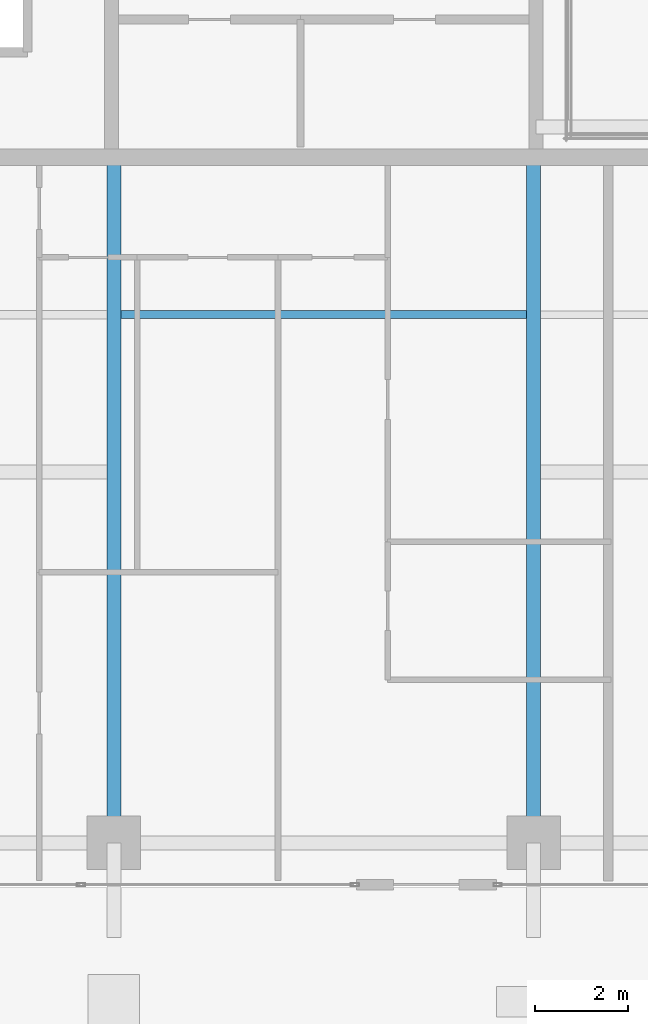
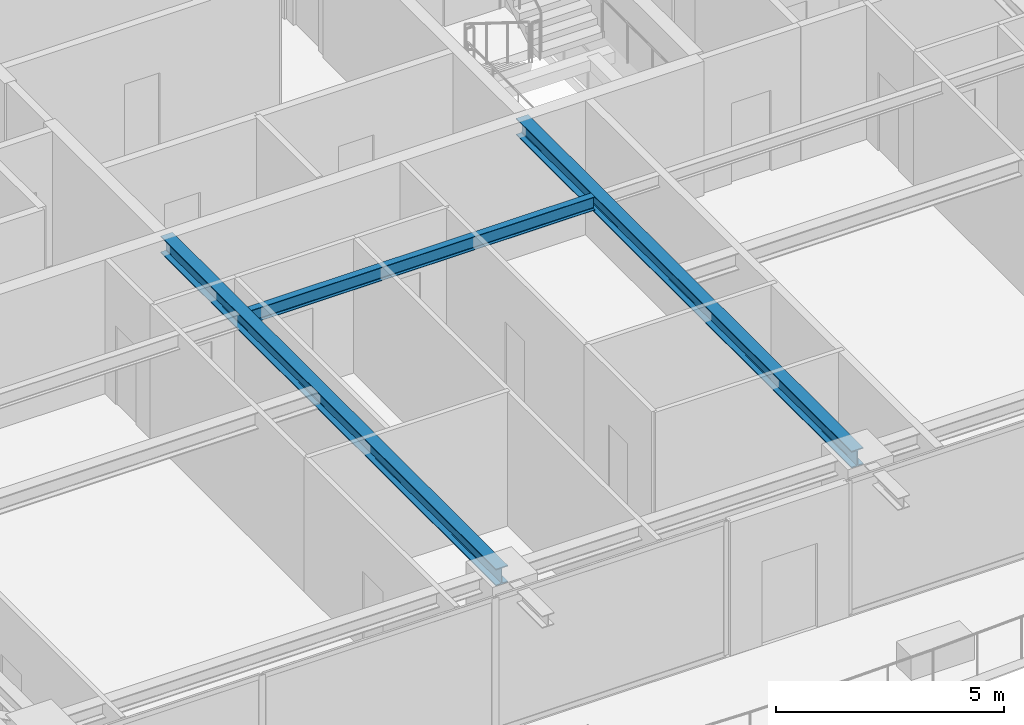
# One storey, part 6 of 38: 3 beams.
"""IFC4 building model written with IfcOpenShell, lengths in metres."""

from ifc_helpers import new_model, si_unit, direction, frame, origin, origin_2d, place, context, subcontext, project, spatial, i_section, extrude, source, transform, mapped, material, material_profile, profile_set, type_object, element, save


model = new_model("IFC4")

# Units and contexts
model_context = context("Model", 3, precision=1e-05, world=origin(), true_north=direction((0.0, 1.0)))
body_context = subcontext(model_context, "Body", "Model", "MODEL_VIEW")
ifc_project = project(units=[si_unit("LENGTHUNIT", "METRE"), si_unit("AREAUNIT", "SQUARE_METRE"), si_unit("VOLUMEUNIT", "CUBIC_METRE"), si_unit("PLANEANGLEUNIT", "RADIAN"), si_unit("MASSUNIT", "GRAM", prefix="KILO")], contexts=[model_context])

# Site, building, storey
site_placement = place(None, origin())
site = spatial("IfcSite", under=ifc_project, at=site_placement, CompositionType="ELEMENT")
building_placement = place(site_placement, origin())
building = spatial("IfcBuilding", under=site, at=building_placement, Name="Serunith Strait Residences", CompositionType="ELEMENT")
storey_placement = place(building_placement, frame((0.0, 0.0, 229.699951171875)))
storey = spatial("IfcBuildingStorey", under=building, at=storey_placement, Name="L57", CompositionType="ELEMENT", Elevation=229.699951171875)

# Beams
ifc_material = material(Name="Steel S355J2", Category="steel")
ifc_material_profile_1 = material_profile(ifc_material, i_section(OverallWidth=0.169921875, OverallDepth=0.360107421875, WebThickness=0.008056640625, FlangeThickness=0.0126953125, FilletRadius=0.01806640625, at=origin_2d()), Name="IPE 360")
ifc_profile_set_1 = profile_set([ifc_material_profile_1], Name="Steel S355J2")
beam_type_1 = type_object("IfcBeamType", Name="BM-IPE360", PredefinedType="JOIST", material=ifc_profile_set_1)
shared_shape_1 = source(origin(), body_context, "Body", "SweptSolid", [
    extrude(i_section(OverallWidth=0.169921875, OverallDepth=0.360107421875, WebThickness=0.008056640625, FlangeThickness=0.0126953125, FilletRadius=0.01806640625, at=origin_2d()), origin(), (0.0, 0.0, 1.0), 8.699951171875),
])
beam_placement = place(storey_placement, frame((28.050048828125, 13.425048828125, 3.406982421875), z_axis=(1.0, 0.0, 0.0), x_axis=(0.0, 1.0, 0.0)))
element("IfcBeam", 1, at=beam_placement, inside=storey, type_object=beam_type_1, Name="L57 Composite Floor Joist 02", PredefinedType="JOIST", context=body_context, shape_type="MappedRepresentation", body=[
    mapped(shared_shape_1, transform((0.0, 0.0, 0.0), scale=1.0)),
])
ifc_material_profile_2 = material_profile(ifc_material, i_section(OverallWidth=0.300048828125, OverallDepth=0.449951171875, WebThickness=0.013916015625, FlangeThickness=0.02587890625, FilletRadius=0.027099609375, at=origin_2d()), Name="HEB 450")
ifc_profile_set_2 = profile_set([ifc_material_profile_2], Name="Steel S355J2")
beam_type_2 = type_object("IfcBeamType", Name="BM-HEB450", PredefinedType="BEAM", material=ifc_profile_set_2)
shared_shape_2 = source(origin(), body_context, "Body", "SweptSolid", [
    extrude(i_section(OverallWidth=0.300048828125, OverallDepth=0.449951171875, WebThickness=0.013916015625, FlangeThickness=0.02587890625, FilletRadius=0.027099609375, at=origin_2d()), origin(), (0.0, 0.0, 1.0), 14.699951171875),
])
for number, where, z_axis, x_axis, name in (
    (2, (27.89990234375, 16.800048828125, 3.362060546875), (0.0, -1.0, 0.0), (1.0, 0.0, 0.0), "L57 Primary Floor Girder TC-S2"),
    (3, (36.89990234375, 16.800048828125, 3.362060546875), (0.0, -1.0, 0.0), (1.0, 0.0, 0.0), "L57 Primary Floor Girder TC-S3"),
):
    element("IfcBeam", number, at=place(storey_placement, frame(where, z_axis=z_axis, x_axis=x_axis)), inside=storey, type_object=beam_type_2, Name=name, PredefinedType="BEAM", context=body_context, shape_type="MappedRepresentation", body=[
        mapped(shared_shape_2, transform((0.0, 0.0, 0.0), scale=1.0)),
    ])

save(model, "model.ifc")
